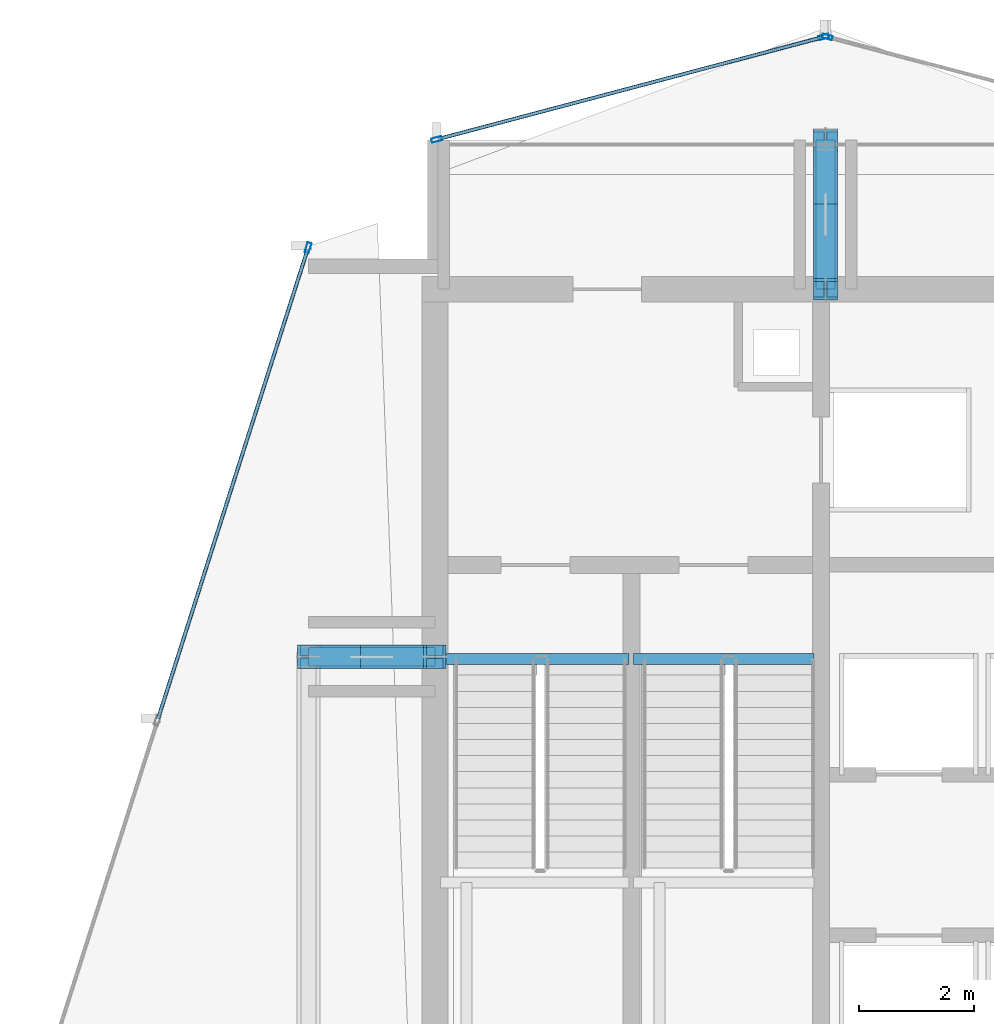
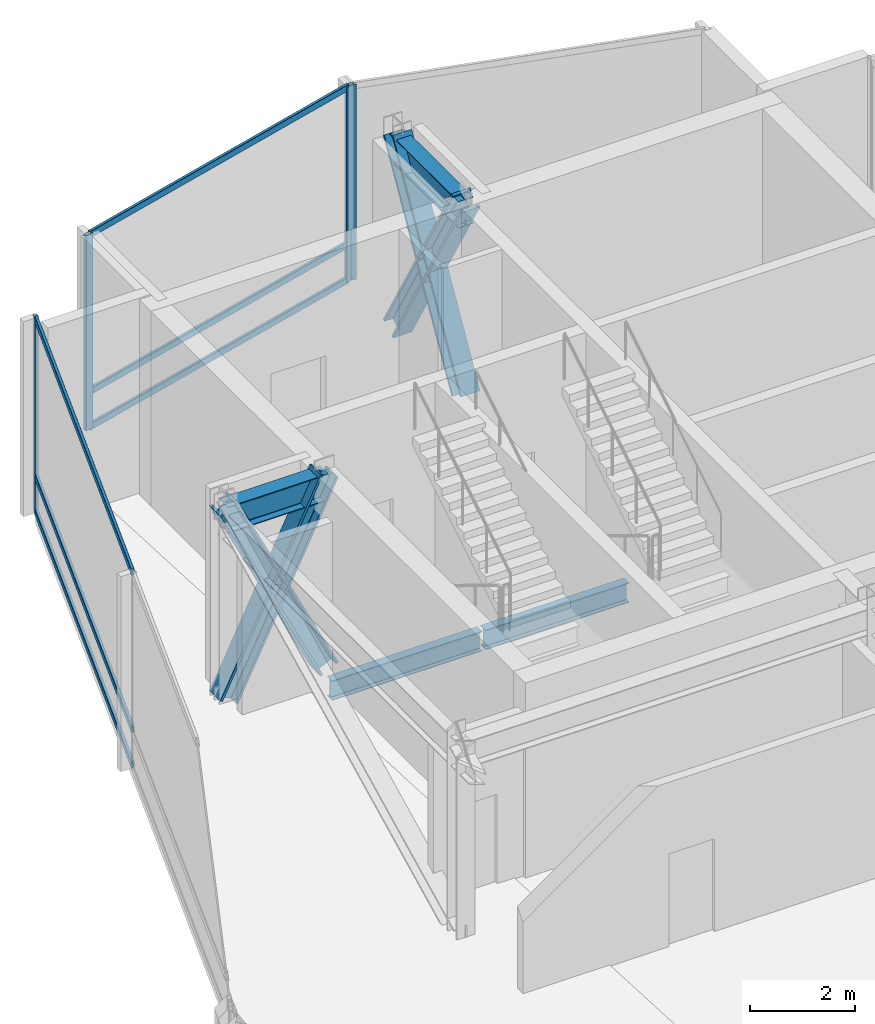
# One storey, part 13 of 23: 16 members, 4 beams, 3 elements without a shape of their own.
"""IFC4 building model written with IfcOpenShell, lengths in metres."""

from ifc_helpers import new_model, si_unit, direction, frame, origin, origin_2d, place, context, subcontext, project, spatial, hollow_rectangle, i_section, extrude, material, layer, layer_set, material_profile, profile_set, type_object, element, aggregate, save


model = new_model("IFC4")

# Units and contexts
model_context = context("Model", 3, precision=1e-05, world=origin(), true_north=direction((0.0, 1.0)))
body_context = subcontext(model_context, "Body", "Model", "MODEL_VIEW")
ifc_project = project(units=[si_unit("LENGTHUNIT", "METRE"), si_unit("AREAUNIT", "SQUARE_METRE"), si_unit("VOLUMEUNIT", "CUBIC_METRE"), si_unit("PLANEANGLEUNIT", "RADIAN"), si_unit("MASSUNIT", "GRAM", prefix="KILO")], contexts=[model_context])

# Site, building, storey
site_placement = place(None, origin())
site = spatial("IfcSite", under=ifc_project, at=site_placement, CompositionType="ELEMENT")
building_placement = place(site_placement, origin())
building = spatial("IfcBuilding", under=site, at=building_placement, Name="Solvaryn Broadcast Tower", CompositionType="ELEMENT")
storey_placement = place(building_placement, frame((0.0, 0.0, 285.199951171875)))
storey = spatial("IfcBuildingStorey", under=building, at=storey_placement, Name="L72", CompositionType="ELEMENT", Elevation=285.199951171875)

# Beams
ifc_material_1 = material(Name="Steel ASTM A992 Grade 50", Category="steel")
ifc_material_profile_1 = material_profile(ifc_material_1, i_section(OverallWidth=0.323974609375, OverallDepth=0.611083984375, WebThickness=0.0126953125, FlangeThickness=0.01904296875, FilletRadius=0.014892578125, at=origin_2d()))
ifc_profile_set_1 = profile_set([ifc_material_profile_1], Name="Steel ASTM A992 Grade 50")
beam_type_1 = type_object("IfcBeamType", Name="BM-B1-W24X104", PredefinedType="BEAM", material=ifc_profile_set_1)
beam_1_placement = place(storey_placement, frame((9.0, 36.0, 4.214599609375), z_axis=(1.0, 0.0, 0.0), x_axis=(0.0, 1.0, 0.0)))
element("IfcBeam", 1, at=beam_1_placement, inside=storey, type_object=beam_type_1, Name="L72 Core Tie Beam CTW1", PredefinedType="BEAM", context=body_context, shape_type="SweptSolid", body=[
    extrude(i_section(OverallWidth=0.323974609375, OverallDepth=0.611083984375, WebThickness=0.0126953125, FlangeThickness=0.01904296875, FilletRadius=0.014892578125, at=origin_2d()), origin(), (0.0, 0.0, 1.0), 2.199951171875),
])
beam_2_placement = place(storey_placement, frame((18.0, 42.39990234375, 4.214599609375), z_axis=(0.0, 1.0, 0.0), x_axis=(-1.0, 0.0, 0.0)))
element("IfcBeam", 2, at=beam_2_placement, inside=storey, type_object=beam_type_1, Name="L72 Core Tie Beam CTW3", PredefinedType="BEAM", context=body_context, shape_type="SweptSolid", body=[
    extrude(i_section(OverallWidth=0.323974609375, OverallDepth=0.611083984375, WebThickness=0.0126953125, FlangeThickness=0.01904296875, FilletRadius=0.014892578125, at=origin_2d()), origin(), (0.0, 0.0, 1.0), 2.60009765625),
])
ifc_material_2 = material(Name="Steel ASTM A992 Grade 50", Category="steel")
ifc_material_profile_2 = material_profile(ifc_material_2, i_section(OverallWidth=0.18994140625, OverallDepth=0.45703125, WebThickness=0.009033203125, FlangeThickness=0.014404296875, FilletRadius=0.011962890625, at=origin_2d()))
ifc_profile_set_2 = profile_set([ifc_material_profile_2], Name="Steel ASTM A992 Grade 50")
beam_type_2 = type_object("IfcBeamType", Name="BM-B4-W18X50", PredefinedType="BEAM", material=ifc_profile_set_2)
beam_3_placement = place(storey_placement, frame((11.300048828125, 35.9599609375, -0.558349609375), z_axis=(1.0, 0.0, 0.0), x_axis=(0.0, 1.0, 0.0)))
element("IfcBeam", 3, at=beam_3_placement, inside=storey, type_object=beam_type_2, Name="L72 ST1 Stair Well Trimmer Beam", PredefinedType="BEAM", context=body_context, shape_type="SweptSolid", body=[
    extrude(i_section(OverallWidth=0.18994140625, OverallDepth=0.45703125, WebThickness=0.009033203125, FlangeThickness=0.014404296875, FilletRadius=0.011962890625, at=origin_2d()), origin(), (0.0, 0.0, 1.0), 3.280029296875),
])
beam_4_placement = place(storey_placement, frame((14.659912109375, 35.9599609375, -0.558349609375), z_axis=(1.0, 0.0, 0.0), x_axis=(0.0, 1.0, 0.0)))
element("IfcBeam", 4, at=beam_4_placement, inside=storey, type_object=beam_type_2, Name="L72 ST2 Stair Well Trimmer Beam", PredefinedType="BEAM", context=body_context, shape_type="SweptSolid", body=[
    extrude(i_section(OverallWidth=0.18994140625, OverallDepth=0.45703125, WebThickness=0.009033203125, FlangeThickness=0.014404296875, FilletRadius=0.011962890625, at=origin_2d()), origin(), (0.0, 0.0, 1.0), 3.14013671875),
])

# Curtain wall, member
ifc_material_3 = material(Name="Aluminium and Terracotta Unitised Curtain Wall", Category="masonry")
ifc_layer = layer(ifc_material_3, 0.199951171875)
ifc_layer_set = layer_set([ifc_layer], Name="CW-SYS2-LOWMID")
curtain_wall_type = type_object("IfcCurtainWallType", Name="CW-SYS2-LOWMID", PredefinedType="NOTDEFINED", material=ifc_layer_set)
curtain_wall_1_placement = place(storey_placement, origin())
curtain_wall_1 = element("IfcCurtainWall", 5, at=curtain_wall_1_placement, inside=storey, type_object=curtain_wall_type, Name="L72 Curtain Wall DR1", PredefinedType="NOTDEFINED")
ifc_material_4 = material(Name="Anodised Aluminium 6063-T6", Category="aluminium")
ifc_material_profile_3 = material_profile(ifc_material_4, hollow_rectangle(XDim=0.074951171875, YDim=0.179931640625, WallThickness=0.00390625, InnerFilletRadius=0.00390625, OuterFilletRadius=0.008056640625, at=origin_2d()))
ifc_profile_set_3 = profile_set([ifc_material_profile_3], Name="Anodised Aluminium 6063-T6")
member_type_1 = type_object("IfcMemberType", Name="CW-MUL-180", PredefinedType="MULLION", material=ifc_profile_set_3)
member_1_placement = place(storey_placement, frame((8.990966796875, 43.120361328125, 0.0), z_axis=(0.0, 0.0, 1.0), x_axis=(0.952794594701, -0.30361564569, 0.0)))
member_1 = element("IfcMember", 6, at=member_1_placement, type_object=member_type_1, Name="CWS2 mullion 1", PredefinedType="MULLION", context=body_context, shape_type="SweptSolid", body=[
    extrude(hollow_rectangle(XDim=0.074951171875, YDim=0.179931640625, WallThickness=0.00390625, InnerFilletRadius=0.00390625, OuterFilletRadius=0.008056640625, at=origin_2d()), origin(), (0.0, 0.0, 1.0), 4.52001953125),
])

curtain_wall_2_placement = place(storey_placement, origin())
curtain_wall_2 = element("IfcCurtainWall", 7, at=curtain_wall_2_placement, inside=storey, type_object=curtain_wall_type, Name="L72 Curtain Wall NT1", PredefinedType="NOTDEFINED")
member_2_placement = place(storey_placement, frame((18.029052734375, 46.792236328125, 0.0), z_axis=(0.0, 0.0, 1.0), x_axis=(-0.25589256031, -0.966705227863, 0.0)))
member_2 = element("IfcMember", 8, at=member_2_placement, type_object=member_type_1, Name="CWS2 mullion 2", PredefinedType="MULLION", context=body_context, shape_type="SweptSolid", body=[
    extrude(hollow_rectangle(XDim=0.074951171875, YDim=0.179931640625, WallThickness=0.00390625, InnerFilletRadius=0.00390625, OuterFilletRadius=0.008056640625, at=origin_2d()), origin(), (0.0, 0.0, 1.0), 4.52001953125),
])
aggregate(curtain_wall_2, [member_2])

# Curtain wall, members
curtain_wall_3_placement = place(storey_placement, origin())
curtain_wall_3 = element("IfcCurtainWall", 9, at=curtain_wall_3_placement, inside=storey, type_object=curtain_wall_type, Name="L72 Curtain Wall NT2", PredefinedType="NOTDEFINED")
member_3_placement = place(storey_placement, frame((17.970947265625, 46.792236328125, 0.0), z_axis=(0.0, 0.0, 1.0), x_axis=(0.25589256031, -0.966705227863, 0.0)))
member_3 = element("IfcMember", 10, at=member_3_placement, type_object=member_type_1, Name="CWS2 mullion 1", PredefinedType="MULLION", context=body_context, shape_type="SweptSolid", body=[
    extrude(hollow_rectangle(XDim=0.074951171875, YDim=0.179931640625, WallThickness=0.00390625, InnerFilletRadius=0.00390625, OuterFilletRadius=0.008056640625, at=origin_2d()), origin(), (0.0, 0.0, 1.0), 4.52001953125),
])
member_4_placement = place(storey_placement, frame((11.22900390625, 45.007568359375, 0.0), z_axis=(0.0, 0.0, 1.0), x_axis=(0.25589256031, -0.966705227863, 0.0)))
member_4 = element("IfcMember", 11, at=member_4_placement, type_object=member_type_1, Name="CWS2 mullion 2", PredefinedType="MULLION", context=body_context, shape_type="SweptSolid", body=[
    extrude(hollow_rectangle(XDim=0.074951171875, YDim=0.179931640625, WallThickness=0.00390625, InnerFilletRadius=0.00390625, OuterFilletRadius=0.008056640625, at=origin_2d()), origin(), (0.0, 0.0, 1.0), 4.52001953125),
])

# Member
ifc_material_5 = material(Name="Anodised Aluminium 6063-T6", Category="aluminium")
ifc_material_profile_4 = material_profile(ifc_material_5, hollow_rectangle(XDim=0.06494140625, YDim=0.14990234375, WallThickness=0.00390625, InnerFilletRadius=0.00390625, OuterFilletRadius=0.008056640625, at=origin_2d()))
ifc_profile_set_4 = profile_set([ifc_material_profile_4], Name="Anodised Aluminium 6063-T6")
member_type_2 = type_object("IfcMemberType", Name="CW-TRN-150", PredefinedType="USERDEFINED", material=ifc_profile_set_4)
member_5_placement = place(storey_placement, frame((8.981689453125, 43.091796875, 0.030029296875), z_axis=(-0.303601994388, -0.952798944691, 0.0), x_axis=(0.952798944691, -0.303601994388, 0.0)))
member_5 = element("IfcMember", 12, at=member_5_placement, type_object=member_type_2, Name="CWS2 transom 1.1", ObjectType="TRANSOM", PredefinedType="USERDEFINED", context=body_context, shape_type="SweptSolid", body=[
    extrude(hollow_rectangle(XDim=0.06494140625, YDim=0.14990234375, WallThickness=0.00390625, InnerFilletRadius=0.00390625, OuterFilletRadius=0.008056640625, at=origin_2d()), origin(), (0.0, 0.0, 1.0), 8.575439453125),
])

member_6_placement = place(storey_placement, frame((8.981689453125, 43.091796875, 0.85009765625), z_axis=(-0.303601994388, -0.952798944691, 0.0), x_axis=(0.952798944691, -0.303601994388, 0.0)))
member_6 = element("IfcMember", 13, at=member_6_placement, type_object=member_type_2, Name="CWS2 transom 1.2", ObjectType="TRANSOM", PredefinedType="USERDEFINED", context=body_context, shape_type="SweptSolid", body=[
    extrude(hollow_rectangle(XDim=0.06494140625, YDim=0.14990234375, WallThickness=0.00390625, InnerFilletRadius=0.00390625, OuterFilletRadius=0.008056640625, at=origin_2d()), origin(), (0.0, 0.0, 1.0), 8.575439453125),
])

member_7_placement = place(storey_placement, frame((8.981689453125, 43.091796875, 4.489990234375), z_axis=(-0.303601994388, -0.952798944691, 0.0), x_axis=(0.952798944691, -0.303601994388, 0.0)))
member_7 = element("IfcMember", 14, at=member_7_placement, type_object=member_type_2, Name="CWS2 transom 1.3", ObjectType="TRANSOM", PredefinedType="USERDEFINED", context=body_context, shape_type="SweptSolid", body=[
    extrude(hollow_rectangle(XDim=0.06494140625, YDim=0.14990234375, WallThickness=0.00390625, InnerFilletRadius=0.00390625, OuterFilletRadius=0.008056640625, at=origin_2d()), origin(), (0.0, 0.0, 1.0), 8.575439453125),
])

aggregate(curtain_wall_1, [member_1, member_5, member_6, member_7])

member_8_placement = place(storey_placement, frame((17.94189453125, 46.78466796875, 0.030029296875), z_axis=(-0.966703943301, -0.255897413051, 0.0), x_axis=(0.255897413051, -0.966703943301, 0.0)))
member_8 = element("IfcMember", 15, at=member_8_placement, type_object=member_type_2, Name="CWS2 transom 1.1", ObjectType="TRANSOM", PredefinedType="USERDEFINED", context=body_context, shape_type="SweptSolid", body=[
    extrude(hollow_rectangle(XDim=0.06494140625, YDim=0.14990234375, WallThickness=0.00390625, InnerFilletRadius=0.00390625, OuterFilletRadius=0.008056640625, at=origin_2d()), origin(), (0.0, 0.0, 1.0), 6.9140625),
])

member_9_placement = place(storey_placement, frame((17.94189453125, 46.78466796875, 0.85009765625), z_axis=(-0.966703943301, -0.255897413051, 0.0), x_axis=(0.255897413051, -0.966703943301, 0.0)))
member_9 = element("IfcMember", 16, at=member_9_placement, type_object=member_type_2, Name="CWS2 transom 1.2", ObjectType="TRANSOM", PredefinedType="USERDEFINED", context=body_context, shape_type="SweptSolid", body=[
    extrude(hollow_rectangle(XDim=0.06494140625, YDim=0.14990234375, WallThickness=0.00390625, InnerFilletRadius=0.00390625, OuterFilletRadius=0.008056640625, at=origin_2d()), origin(), (0.0, 0.0, 1.0), 6.9140625),
])

member_10_placement = place(storey_placement, frame((17.94189453125, 46.78466796875, 4.489990234375), z_axis=(-0.966703943301, -0.255897413051, 0.0), x_axis=(0.255897413051, -0.966703943301, 0.0)))
member_10 = element("IfcMember", 17, at=member_10_placement, type_object=member_type_2, Name="CWS2 transom 1.3", ObjectType="TRANSOM", PredefinedType="USERDEFINED", context=body_context, shape_type="SweptSolid", body=[
    extrude(hollow_rectangle(XDim=0.06494140625, YDim=0.14990234375, WallThickness=0.00390625, InnerFilletRadius=0.00390625, OuterFilletRadius=0.008056640625, at=origin_2d()), origin(), (0.0, 0.0, 1.0), 6.9140625),
])

aggregate(curtain_wall_3, [member_3, member_4, member_8, member_9, member_10])

# Members
ifc_material_6 = material(Name="Steel ASTM A913 Grade 65", Category="steel")
ifc_material_profile_5 = material_profile(ifc_material_6, i_section(OverallWidth=0.412109375, OverallDepth=0.43505859375, WebThickness=0.035888671875, FlangeThickness=0.057373046875, FilletRadius=0.014892578125, at=origin_2d()))
ifc_profile_set_5 = profile_set([ifc_material_profile_5], Name="Steel ASTM A913 Grade 65")
member_type_3 = type_object("IfcMemberType", Name="MB-OUTRIGGER-2", PredefinedType="BRACE", material=ifc_profile_set_5)
member_11_placement = place(storey_placement, frame((11.199951171875, 36.0, 0.02001953125), z_axis=(-0.440784271702, 0.0, 0.897613071328), x_axis=(0.0, -1.0, 0.0)))
element("IfcMember", 18, at=member_11_placement, inside=storey, type_object=member_type_3, Name="L72 Outrigger X-Brace W Continuous Diagonal", PredefinedType="BRACE", context=body_context, shape_type="SweptSolid", body=[
    extrude(i_section(OverallWidth=0.412109375, OverallDepth=0.43505859375, WebThickness=0.035888671875, FlangeThickness=0.057373046875, FilletRadius=0.014892578125, at=origin_2d()), origin(), (0.0, 0.0, 1.0), 4.990966796875),
])
member_12_placement = place(storey_placement, frame((11.199951171875, 36.0, 4.5), z_axis=(-0.440744858159, 0.0, -0.897632424774), x_axis=(0.0, -1.0, 0.0)))
element("IfcMember", 19, at=member_12_placement, inside=storey, type_object=member_type_3, Name="L72 Outrigger X-Brace W Split Diagonal Lower", PredefinedType="BRACE", context=body_context, shape_type="SweptSolid", body=[
    extrude(i_section(OverallWidth=0.412109375, OverallDepth=0.43505859375, WebThickness=0.035888671875, FlangeThickness=0.057373046875, FilletRadius=0.014892578125, at=origin_2d()), origin(), (0.0, 0.0, 1.0), 2.495361328125),
])
member_13_placement = place(storey_placement, frame((10.10009765625, 36.0, 2.260009765625), z_axis=(-0.440823682697, 0.0, -0.897593716987), x_axis=(0.0, -1.0, 0.0)))
element("IfcMember", 20, at=member_13_placement, inside=storey, type_object=member_type_3, Name="L72 Outrigger X-Brace W Split Diagonal Upper", PredefinedType="BRACE", context=body_context, shape_type="SweptSolid", body=[
    extrude(i_section(OverallWidth=0.412109375, OverallDepth=0.43505859375, WebThickness=0.035888671875, FlangeThickness=0.057373046875, FilletRadius=0.014892578125, at=origin_2d()), origin(), (0.0, 0.0, 1.0), 2.49560546875),
])
member_14_placement = place(storey_placement, frame((18.0, 42.39990234375, 0.02001953125), z_axis=(0.0, 0.501964949025, 0.864887963814), x_axis=(-1.0, 0.0, 0.0)))
element("IfcMember", 21, at=member_14_placement, inside=storey, type_object=member_type_3, Name="L72 Outrigger X-Brace N Continuous Diagonal", PredefinedType="BRACE", context=body_context, shape_type="SweptSolid", body=[
    extrude(i_section(OverallWidth=0.412109375, OverallDepth=0.43505859375, WebThickness=0.035888671875, FlangeThickness=0.057373046875, FilletRadius=0.014892578125, at=origin_2d()), origin(), (0.0, 0.0, 1.0), 5.179931640625),
])
for number, where, z_axis, x_axis, name in (
    (22, (18.0, 42.39990234375, 4.5), (0.0, 0.501964949025, -0.864887963814), (-1.0, 0.0, 0.0), "L72 Outrigger X-Brace N Split Diagonal Lower"),
    (23, (18.0, 43.699951171875, 2.260009765625), (0.0, 0.501964949025, -0.864887963814), (-1.0, 0.0, 0.0), "L72 Outrigger X-Brace N Split Diagonal Upper"),
):
    element("IfcMember", number, at=place(storey_placement, frame(where, z_axis=z_axis, x_axis=x_axis)), inside=storey, type_object=member_type_3, Name=name, PredefinedType="BRACE", context=body_context, shape_type="SweptSolid", body=[
        extrude(i_section(OverallWidth=0.412109375, OverallDepth=0.43505859375, WebThickness=0.035888671875, FlangeThickness=0.057373046875, FilletRadius=0.014892578125, at=origin_2d()), origin(), (0.0, 0.0, 1.0), 2.58984375),
    ])

save(model, "model.ifc")
